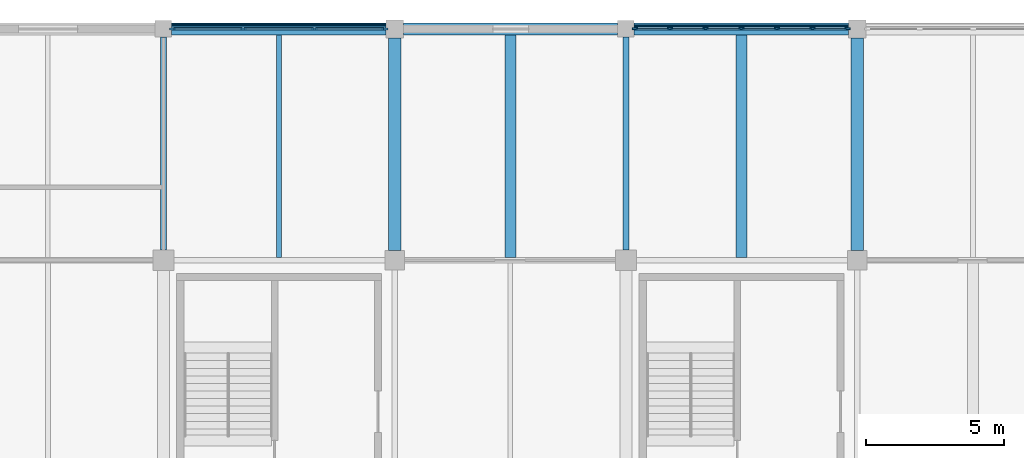
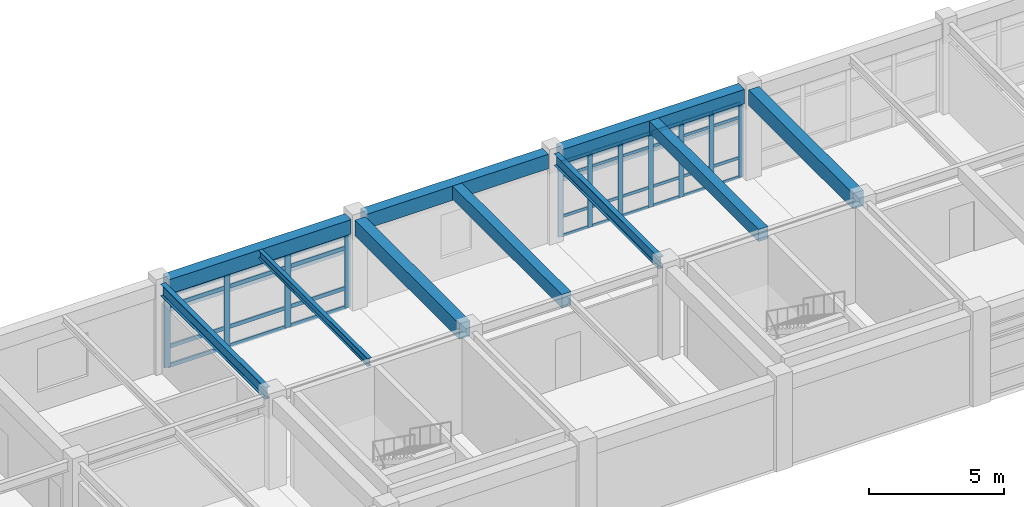
# One storey, part 17 of 40: 51 members, 10 beams, 2 elements without a shape of their own.
"""IFC4 building model written with IfcOpenShell, lengths in metres."""

from ifc_helpers import new_model, si_unit, direction, frame, origin, origin_2d, place, context, subcontext, project, spatial, rectangle, i_section, extrude, material, layer, layer_set, material_profile, profile_set, type_object, element, aggregate, save


model = new_model("IFC4")

# Units and contexts
model_context = context("Model", 3, precision=1e-05, world=origin(), true_north=direction((0.0, 1.0)))
body_context = subcontext(model_context, "Body", "Model", "MODEL_VIEW")
ifc_project = project(units=[si_unit("LENGTHUNIT", "METRE"), si_unit("AREAUNIT", "SQUARE_METRE"), si_unit("VOLUMEUNIT", "CUBIC_METRE"), si_unit("PLANEANGLEUNIT", "RADIAN"), si_unit("MASSUNIT", "GRAM", prefix="KILO")], contexts=[model_context])

# Site, building, storey
site_placement = place(None, origin())
site = spatial("IfcSite", under=ifc_project, at=site_placement, CompositionType="ELEMENT")
building_placement = place(site_placement, origin())
building = spatial("IfcBuilding", under=site, at=building_placement, Name="Porcellanite Civic Hall", CompositionType="ELEMENT")
storey_placement = place(building_placement, frame((0.0, 0.0, 19.080078125)))
storey = spatial("IfcBuildingStorey", under=building, at=storey_placement, Name="L04", CompositionType="ELEMENT", Elevation=19.080078125)

# Beams
ifc_material_1 = material(Name="Concrete N50 (50 MPa)", Category="concrete")
ifc_material_profile_1 = material_profile(ifc_material_1, rectangle(XDim=0.39990234375, YDim=0.550048828125, at=origin_2d()), Name="RC-400x550")
ifc_profile_set_1 = profile_set([ifc_material_profile_1], Name="Concrete N50 (50 MPa)")
beam_type_1 = type_object("IfcBeamType", Name="BM-RC550", PredefinedType="JOIST", material=ifc_profile_set_1)
beam_1_placement = place(storey_placement, frame((96.60009765625, 109.29443359375, 3.794921875), z_axis=(0.0, 1.0, 0.0), x_axis=(-1.0, 0.0, 0.0)))
element("IfcBeam", 1, at=beam_1_placement, inside=storey, type_object=beam_type_1, Name="Secondary joist L04 12-14", PredefinedType="JOIST", context=body_context, shape_type="SweptSolid", body=[
    extrude(rectangle(XDim=0.39990234375, YDim=0.550048828125, at=origin_2d()), origin(), (0.0, 0.0, 1.0), 8.0810546875),
])
ifc_material_2 = material(Name="Concrete N50 (50 MPa)", Category="concrete")
ifc_material_profile_2 = material_profile(ifc_material_2, rectangle(XDim=0.39990234375, YDim=0.60009765625, at=origin_2d()), Name="RC-400x600")
ifc_profile_set_2 = profile_set([ifc_material_profile_2], Name="Concrete N50 (50 MPa)")
beam_type_2 = type_object("IfcBeamType", Name="BM-RC600", PredefinedType="JOIST", material=ifc_profile_set_2)
beam_2_placement = place(storey_placement, frame((88.199951171875, 109.29443359375, 3.77001953125), z_axis=(0.0, 1.0, 0.0), x_axis=(-1.0, 0.0, 0.0)))
element("IfcBeam", 2, at=beam_2_placement, inside=storey, type_object=beam_type_2, Name="Secondary joist L04 11-14", PredefinedType="JOIST", context=body_context, shape_type="SweptSolid", body=[
    extrude(rectangle(XDim=0.39990234375, YDim=0.60009765625, at=origin_2d()), origin(), (0.0, 0.0, 1.0), 8.0810546875),
])
ifc_material_3 = material(Name="Concrete N50 (50 MPa)", Category="concrete")
ifc_material_profile_3 = material_profile(ifc_material_3, rectangle(XDim=0.449951171875, YDim=0.64990234375, at=origin_2d()), Name="RC-450x650")
ifc_profile_set_3 = profile_set([ifc_material_profile_3], Name="Concrete N50 (50 MPa)")
beam_type_3 = type_object("IfcBeamType", Name="BM-RC650", PredefinedType="SPANDREL", material=ifc_profile_set_3)
for number, where, z_axis, x_axis, name in (
    (3, (75.8994140625, 117.60009765625, 3.744873046875), (1.0, 0.0, 0.0), (0.0, 1.0, 0.0), "Beam X L04 10-15"),
    (4, (84.324462890625, 117.60009765625, 3.744873046875), (1.0, 0.0, 0.0), (0.0, 1.0, 0.0), "Beam X L04 11-15"),
    (5, (92.699462890625, 117.60009765625, 3.744873046875), (1.0, 0.0, 0.0), (0.0, 1.0, 0.0), "Beam X L04 12-15"),
):
    element("IfcBeam", number, at=place(storey_placement, frame(where, z_axis=z_axis, x_axis=x_axis)), inside=storey, type_object=beam_type_3, Name=name, PredefinedType="SPANDREL", context=body_context, shape_type="SweptSolid", body=[
        extrude(rectangle(XDim=0.449951171875, YDim=0.64990234375, at=origin_2d()), origin(), (0.0, 0.0, 1.0), 7.776123046875),
    ])
ifc_material_4 = material(Name="Concrete N50 (50 MPa)", Category="concrete")
ifc_material_profile_4 = material_profile(ifc_material_4, rectangle(XDim=0.449951171875, YDim=0.699951171875, at=origin_2d()), Name="RC-450x700")
ifc_profile_set_4 = profile_set([ifc_material_profile_4], Name="Concrete N50 (50 MPa)")
beam_type_4 = type_object("IfcBeamType", Name="BM-RC700", PredefinedType="BEAM", material=ifc_profile_set_4)
for number, where, z_axis, x_axis, name in (
    (6, (84.0, 109.549560546875, 3.719970703125), (0.0, 1.0, 0.0), (-1.0, 0.0, 0.0), "Beam Y L04 11-14"),
    (7, (100.800048828125, 109.549560546875, 3.719970703125), (0.0, 1.0, 0.0), (-1.0, 0.0, 0.0), "Beam Y L04 13-14"),
):
    element("IfcBeam", number, at=place(storey_placement, frame(where, z_axis=z_axis, x_axis=x_axis)), inside=storey, type_object=beam_type_4, Name=name, PredefinedType="BEAM", context=body_context, shape_type="SweptSolid", body=[
        extrude(rectangle(XDim=0.449951171875, YDim=0.699951171875, at=origin_2d()), origin(), (0.0, 0.0, 1.0), 7.725830078125),
    ])

# Curtain wall, members
ifc_material_5 = material(Name="Anodised aluminium and solar laminated glass", Category="aluminium")
ifc_layer_1 = layer(ifc_material_5, 0.179931640625)
ifc_layer_set_1 = layer_set([ifc_layer_1], Name="Anodised aluminium and solar laminated glass")
curtain_wall_type_1 = type_object("IfcCurtainWallType", Name="CW-SYS08", PredefinedType="NOTDEFINED", material=ifc_layer_set_1)
curtain_wall_1_placement = place(storey_placement, origin())
curtain_wall_1 = element("IfcCurtainWall", 8, at=curtain_wall_1_placement, inside=storey, type_object=curtain_wall_type_1, Name="Curtain wall CW-250", PredefinedType="NOTDEFINED")
ifc_material_6 = material(Name="Anodised aluminium 6063-T6", Category="aluminium")
ifc_material_profile_5 = material_profile(ifc_material_6, rectangle(XDim=0.080078125, YDim=0.239990234375, at=origin_2d()), Name="AL-80x240")
ifc_profile_set_5 = profile_set([ifc_material_profile_5], Name="Anodised aluminium 6063-T6")
member_type_1 = type_object("IfcMemberType", Name="CWM-01", PredefinedType="MULLION", material=ifc_profile_set_5)
member_1_placement = place(storey_placement, frame((75.94091796875, 117.60009765625, 0.0), z_axis=(0.0, 0.0, 1.0), x_axis=(0.0, 1.0, 0.0)))
member_1 = element("IfcMember", 9, at=member_1_placement, type_object=member_type_1, Name="CW-250 mullion 1", PredefinedType="MULLION", context=body_context, shape_type="SweptSolid", body=[
    extrude(rectangle(XDim=0.080078125, YDim=0.239990234375, at=origin_2d()), origin(), (0.0, 0.0, 1.0), 3.369873046875),
])
member_2_placement = place(storey_placement, frame((78.491943359375, 117.60009765625, 0.0), z_axis=(0.0, 0.0, 1.0), x_axis=(0.0, 1.0, 0.0)))
member_2 = element("IfcMember", 10, at=member_2_placement, type_object=member_type_1, Name="CW-250 mullion 2", PredefinedType="MULLION", context=body_context, shape_type="SweptSolid", body=[
    extrude(rectangle(XDim=0.080078125, YDim=0.239990234375, at=origin_2d()), origin(), (0.0, 0.0, 1.0), 3.369873046875),
])
member_3_placement = place(storey_placement, frame((81.0830078125, 117.60009765625, 0.0), z_axis=(0.0, 0.0, 1.0), x_axis=(0.0, 1.0, 0.0)))
member_3 = element("IfcMember", 11, at=member_3_placement, type_object=member_type_1, Name="CW-250 mullion 3", PredefinedType="MULLION", context=body_context, shape_type="SweptSolid", body=[
    extrude(rectangle(XDim=0.080078125, YDim=0.239990234375, at=origin_2d()), origin(), (0.0, 0.0, 1.0), 3.369873046875),
])
member_4_placement = place(storey_placement, frame((83.634033203125, 117.60009765625, 0.0), z_axis=(0.0, 0.0, 1.0), x_axis=(0.0, 1.0, 0.0)))
member_4 = element("IfcMember", 12, at=member_4_placement, type_object=member_type_1, Name="CW-250 mullion 4", PredefinedType="MULLION", context=body_context, shape_type="SweptSolid", body=[
    extrude(rectangle(XDim=0.080078125, YDim=0.239990234375, at=origin_2d()), origin(), (0.0, 0.0, 1.0), 3.369873046875),
])

ifc_material_7 = material(Name="Anodised aluminium and solar laminated glass", Category="aluminium")
ifc_layer_2 = layer(ifc_material_7, 0.179931640625)
ifc_layer_set_2 = layer_set([ifc_layer_2], Name="Anodised aluminium and solar laminated glass")
curtain_wall_type_2 = type_object("IfcCurtainWallType", Name="CW-SYS01", PredefinedType="NOTDEFINED", material=ifc_layer_set_2)
curtain_wall_2_placement = place(storey_placement, origin())
curtain_wall_2 = element("IfcCurtainWall", 13, at=curtain_wall_2_placement, inside=storey, type_object=curtain_wall_type_2, Name="Curtain wall CW-251", PredefinedType="NOTDEFINED")
ifc_material_8 = material(Name="Anodised aluminium 6063-T6", Category="aluminium")
ifc_material_profile_6 = material_profile(ifc_material_8, rectangle(XDim=0.070068359375, YDim=0.199951171875, at=origin_2d()), Name="AL-70x200")
ifc_profile_set_6 = profile_set([ifc_material_profile_6], Name="Anodised aluminium 6063-T6")
member_type_2 = type_object("IfcMemberType", Name="CWM-05", PredefinedType="MULLION", material=ifc_profile_set_6)
member_5_placement = place(storey_placement, frame((92.736083984375, 117.60009765625, 0.0), z_axis=(0.0, 0.0, 1.0), x_axis=(0.0, 1.0, 0.0)))
member_5 = element("IfcMember", 14, at=member_5_placement, type_object=member_type_2, Name="CW-251 mullion 1", PredefinedType="MULLION", context=body_context, shape_type="SweptSolid", body=[
    extrude(rectangle(XDim=0.070068359375, YDim=0.199951171875, at=origin_2d()), origin(), (0.0, 0.0, 1.0), 3.369873046875),
])
member_6_placement = place(storey_placement, frame((93.99658203125, 117.60009765625, 0.0), z_axis=(0.0, 0.0, 1.0), x_axis=(0.0, 1.0, 0.0)))
member_6 = element("IfcMember", 15, at=member_6_placement, type_object=member_type_2, Name="CW-251 mullion 2", PredefinedType="MULLION", context=body_context, shape_type="SweptSolid", body=[
    extrude(rectangle(XDim=0.070068359375, YDim=0.199951171875, at=origin_2d()), origin(), (0.0, 0.0, 1.0), 3.369873046875),
])
member_7_placement = place(storey_placement, frame((95.2919921875, 117.60009765625, 0.0), z_axis=(0.0, 0.0, 1.0), x_axis=(0.0, 1.0, 0.0)))
member_7 = element("IfcMember", 16, at=member_7_placement, type_object=member_type_2, Name="CW-251 mullion 3", PredefinedType="MULLION", context=body_context, shape_type="SweptSolid", body=[
    extrude(rectangle(XDim=0.070068359375, YDim=0.199951171875, at=origin_2d()), origin(), (0.0, 0.0, 1.0), 3.369873046875),
])
member_8_placement = place(storey_placement, frame((96.58740234375, 117.60009765625, 0.0), z_axis=(0.0, 0.0, 1.0), x_axis=(0.0, 1.0, 0.0)))
member_8 = element("IfcMember", 17, at=member_8_placement, type_object=member_type_2, Name="CW-251 mullion 4", PredefinedType="MULLION", context=body_context, shape_type="SweptSolid", body=[
    extrude(rectangle(XDim=0.070068359375, YDim=0.199951171875, at=origin_2d()), origin(), (0.0, 0.0, 1.0), 3.369873046875),
])
member_9_placement = place(storey_placement, frame((97.883056640625, 117.60009765625, 0.0), z_axis=(0.0, 0.0, 1.0), x_axis=(0.0, 1.0, 0.0)))
member_9 = element("IfcMember", 18, at=member_9_placement, type_object=member_type_2, Name="CW-251 mullion 5", PredefinedType="MULLION", context=body_context, shape_type="SweptSolid", body=[
    extrude(rectangle(XDim=0.070068359375, YDim=0.199951171875, at=origin_2d()), origin(), (0.0, 0.0, 1.0), 3.369873046875),
])
member_10_placement = place(storey_placement, frame((99.178466796875, 117.60009765625, 0.0), z_axis=(0.0, 0.0, 1.0), x_axis=(0.0, 1.0, 0.0)))
member_10 = element("IfcMember", 19, at=member_10_placement, type_object=member_type_2, Name="CW-251 mullion 6", PredefinedType="MULLION", context=body_context, shape_type="SweptSolid", body=[
    extrude(rectangle(XDim=0.070068359375, YDim=0.199951171875, at=origin_2d()), origin(), (0.0, 0.0, 1.0), 3.369873046875),
])
member_11_placement = place(storey_placement, frame((100.43896484375, 117.60009765625, 0.0), z_axis=(0.0, 0.0, 1.0), x_axis=(0.0, 1.0, 0.0)))
member_11 = element("IfcMember", 20, at=member_11_placement, type_object=member_type_2, Name="CW-251 mullion 7", PredefinedType="MULLION", context=body_context, shape_type="SweptSolid", body=[
    extrude(rectangle(XDim=0.070068359375, YDim=0.199951171875, at=origin_2d()), origin(), (0.0, 0.0, 1.0), 3.369873046875),
])

# Member
ifc_material_9 = material(Name="Anodised aluminium 6063-T6", Category="aluminium")
ifc_material_profile_7 = material_profile(ifc_material_9, rectangle(XDim=0.070068359375, YDim=0.175048828125, at=origin_2d()), Name="AL-70x175")
ifc_profile_set_7 = profile_set([ifc_material_profile_7], Name="Anodised aluminium 6063-T6")
member_type_3 = type_object("IfcMemberType", Name="CWT-01", PredefinedType="USERDEFINED", material=ifc_profile_set_7)
member_12_placement = place(storey_placement, frame((75.98095703125, 117.60009765625, 0.034912109375), z_axis=(1.0, 0.0, 0.0), x_axis=(0.0, 1.0, 0.0)))
member_12 = element("IfcMember", 21, at=member_12_placement, type_object=member_type_3, Name="CW-250 transom 1.1", ObjectType="TRANSOM", PredefinedType="USERDEFINED", context=body_context, shape_type="SweptSolid", body=[
    extrude(rectangle(XDim=0.070068359375, YDim=0.175048828125, at=origin_2d()), origin(), (0.0, 0.0, 1.0), 2.470947265625),
])

member_13_placement = place(storey_placement, frame((75.98095703125, 117.60009765625, 0.89990234375), z_axis=(1.0, 0.0, 0.0), x_axis=(0.0, 1.0, 0.0)))
member_13 = element("IfcMember", 22, at=member_13_placement, type_object=member_type_3, Name="CW-250 transom 1.2", ObjectType="TRANSOM", PredefinedType="USERDEFINED", context=body_context, shape_type="SweptSolid", body=[
    extrude(rectangle(XDim=0.070068359375, YDim=0.175048828125, at=origin_2d()), origin(), (0.0, 0.0, 1.0), 2.470947265625),
])

member_14_placement = place(storey_placement, frame((75.98095703125, 117.60009765625, 2.719970703125), z_axis=(1.0, 0.0, 0.0), x_axis=(0.0, 1.0, 0.0)))
member_14 = element("IfcMember", 23, at=member_14_placement, type_object=member_type_3, Name="CW-250 transom 1.3", ObjectType="TRANSOM", PredefinedType="USERDEFINED", context=body_context, shape_type="SweptSolid", body=[
    extrude(rectangle(XDim=0.070068359375, YDim=0.175048828125, at=origin_2d()), origin(), (0.0, 0.0, 1.0), 2.470947265625),
])

member_15_placement = place(storey_placement, frame((75.98095703125, 117.60009765625, 3.3349609375), z_axis=(1.0, 0.0, 0.0), x_axis=(0.0, 1.0, 0.0)))
member_15 = element("IfcMember", 24, at=member_15_placement, type_object=member_type_3, Name="CW-250 transom 1.4", ObjectType="TRANSOM", PredefinedType="USERDEFINED", context=body_context, shape_type="SweptSolid", body=[
    extrude(rectangle(XDim=0.070068359375, YDim=0.175048828125, at=origin_2d()), origin(), (0.0, 0.0, 1.0), 2.470947265625),
])

member_16_placement = place(storey_placement, frame((78.531982421875, 117.60009765625, 0.034912109375), z_axis=(1.0, 0.0, 0.0), x_axis=(0.0, 1.0, 0.0)))
member_16 = element("IfcMember", 25, at=member_16_placement, type_object=member_type_3, Name="CW-250 transom 2.1", ObjectType="TRANSOM", PredefinedType="USERDEFINED", context=body_context, shape_type="SweptSolid", body=[
    extrude(rectangle(XDim=0.070068359375, YDim=0.175048828125, at=origin_2d()), origin(), (0.0, 0.0, 1.0), 2.510986328125),
])

member_17_placement = place(storey_placement, frame((78.531982421875, 117.60009765625, 0.89990234375), z_axis=(1.0, 0.0, 0.0), x_axis=(0.0, 1.0, 0.0)))
member_17 = element("IfcMember", 26, at=member_17_placement, type_object=member_type_3, Name="CW-250 transom 2.2", ObjectType="TRANSOM", PredefinedType="USERDEFINED", context=body_context, shape_type="SweptSolid", body=[
    extrude(rectangle(XDim=0.070068359375, YDim=0.175048828125, at=origin_2d()), origin(), (0.0, 0.0, 1.0), 2.510986328125),
])

member_18_placement = place(storey_placement, frame((78.531982421875, 117.60009765625, 2.719970703125), z_axis=(1.0, 0.0, 0.0), x_axis=(0.0, 1.0, 0.0)))
member_18 = element("IfcMember", 27, at=member_18_placement, type_object=member_type_3, Name="CW-250 transom 2.3", ObjectType="TRANSOM", PredefinedType="USERDEFINED", context=body_context, shape_type="SweptSolid", body=[
    extrude(rectangle(XDim=0.070068359375, YDim=0.175048828125, at=origin_2d()), origin(), (0.0, 0.0, 1.0), 2.510986328125),
])

member_19_placement = place(storey_placement, frame((78.531982421875, 117.60009765625, 3.3349609375), z_axis=(1.0, 0.0, 0.0), x_axis=(0.0, 1.0, 0.0)))
member_19 = element("IfcMember", 28, at=member_19_placement, type_object=member_type_3, Name="CW-250 transom 2.4", ObjectType="TRANSOM", PredefinedType="USERDEFINED", context=body_context, shape_type="SweptSolid", body=[
    extrude(rectangle(XDim=0.070068359375, YDim=0.175048828125, at=origin_2d()), origin(), (0.0, 0.0, 1.0), 2.510986328125),
])

member_20_placement = place(storey_placement, frame((81.123046875, 117.60009765625, 0.034912109375), z_axis=(1.0, 0.0, 0.0), x_axis=(0.0, 1.0, 0.0)))
member_20 = element("IfcMember", 29, at=member_20_placement, type_object=member_type_3, Name="CW-250 transom 3.1", ObjectType="TRANSOM", PredefinedType="USERDEFINED", context=body_context, shape_type="SweptSolid", body=[
    extrude(rectangle(XDim=0.070068359375, YDim=0.175048828125, at=origin_2d()), origin(), (0.0, 0.0, 1.0), 2.470947265625),
])

member_21_placement = place(storey_placement, frame((81.123046875, 117.60009765625, 0.89990234375), z_axis=(1.0, 0.0, 0.0), x_axis=(0.0, 1.0, 0.0)))
member_21 = element("IfcMember", 30, at=member_21_placement, type_object=member_type_3, Name="CW-250 transom 3.2", ObjectType="TRANSOM", PredefinedType="USERDEFINED", context=body_context, shape_type="SweptSolid", body=[
    extrude(rectangle(XDim=0.070068359375, YDim=0.175048828125, at=origin_2d()), origin(), (0.0, 0.0, 1.0), 2.470947265625),
])

member_22_placement = place(storey_placement, frame((81.123046875, 117.60009765625, 2.719970703125), z_axis=(1.0, 0.0, 0.0), x_axis=(0.0, 1.0, 0.0)))
member_22 = element("IfcMember", 31, at=member_22_placement, type_object=member_type_3, Name="CW-250 transom 3.3", ObjectType="TRANSOM", PredefinedType="USERDEFINED", context=body_context, shape_type="SweptSolid", body=[
    extrude(rectangle(XDim=0.070068359375, YDim=0.175048828125, at=origin_2d()), origin(), (0.0, 0.0, 1.0), 2.470947265625),
])

member_23_placement = place(storey_placement, frame((81.123046875, 117.60009765625, 3.3349609375), z_axis=(1.0, 0.0, 0.0), x_axis=(0.0, 1.0, 0.0)))
member_23 = element("IfcMember", 32, at=member_23_placement, type_object=member_type_3, Name="CW-250 transom 3.4", ObjectType="TRANSOM", PredefinedType="USERDEFINED", context=body_context, shape_type="SweptSolid", body=[
    extrude(rectangle(XDim=0.070068359375, YDim=0.175048828125, at=origin_2d()), origin(), (0.0, 0.0, 1.0), 2.470947265625),
])

aggregate(curtain_wall_1, [member_1, member_2, member_3, member_4, member_12, member_13, member_14, member_15, member_16, member_17, member_18, member_19, member_20, member_21, member_22, member_23])

ifc_material_10 = material(Name="Anodised aluminium 6063-T6", Category="aluminium")
ifc_material_profile_8 = material_profile(ifc_material_10, rectangle(XDim=0.06005859375, YDim=0.1298828125, at=origin_2d()), Name="AL-60x130")
ifc_profile_set_8 = profile_set([ifc_material_profile_8], Name="Anodised aluminium 6063-T6")
member_type_4 = type_object("IfcMemberType", Name="CWT-03", PredefinedType="USERDEFINED", material=ifc_profile_set_8)
member_24_placement = place(storey_placement, frame((92.77099609375, 117.60009765625, 0.030029296875), z_axis=(1.0, 0.0, 0.0), x_axis=(0.0, 1.0, 0.0)))
member_24 = element("IfcMember", 33, at=member_24_placement, type_object=member_type_4, Name="CW-251 transom 1.1", ObjectType="TRANSOM", PredefinedType="USERDEFINED", context=body_context, shape_type="SweptSolid", body=[
    extrude(rectangle(XDim=0.06005859375, YDim=0.1298828125, at=origin_2d()), origin(), (0.0, 0.0, 1.0), 1.1904296875),
])

member_25_placement = place(storey_placement, frame((92.77099609375, 117.60009765625, 0.89990234375), z_axis=(1.0, 0.0, 0.0), x_axis=(0.0, 1.0, 0.0)))
member_25 = element("IfcMember", 34, at=member_25_placement, type_object=member_type_4, Name="CW-251 transom 1.2", ObjectType="TRANSOM", PredefinedType="USERDEFINED", context=body_context, shape_type="SweptSolid", body=[
    extrude(rectangle(XDim=0.06005859375, YDim=0.1298828125, at=origin_2d()), origin(), (0.0, 0.0, 1.0), 1.1904296875),
])

member_26_placement = place(storey_placement, frame((92.77099609375, 117.60009765625, 2.719970703125), z_axis=(1.0, 0.0, 0.0), x_axis=(0.0, 1.0, 0.0)))
member_26 = element("IfcMember", 35, at=member_26_placement, type_object=member_type_4, Name="CW-251 transom 1.3", ObjectType="TRANSOM", PredefinedType="USERDEFINED", context=body_context, shape_type="SweptSolid", body=[
    extrude(rectangle(XDim=0.06005859375, YDim=0.1298828125, at=origin_2d()), origin(), (0.0, 0.0, 1.0), 1.1904296875),
])

member_27_placement = place(storey_placement, frame((92.77099609375, 117.60009765625, 3.33984375), z_axis=(1.0, 0.0, 0.0), x_axis=(0.0, 1.0, 0.0)))
member_27 = element("IfcMember", 36, at=member_27_placement, type_object=member_type_4, Name="CW-251 transom 1.4", ObjectType="TRANSOM", PredefinedType="USERDEFINED", context=body_context, shape_type="SweptSolid", body=[
    extrude(rectangle(XDim=0.06005859375, YDim=0.1298828125, at=origin_2d()), origin(), (0.0, 0.0, 1.0), 1.1904296875),
])

member_28_placement = place(storey_placement, frame((94.031494140625, 117.60009765625, 0.030029296875), z_axis=(1.0, 0.0, 0.0), x_axis=(0.0, 1.0, 0.0)))
member_28 = element("IfcMember", 37, at=member_28_placement, type_object=member_type_4, Name="CW-251 transom 2.1", ObjectType="TRANSOM", PredefinedType="USERDEFINED", context=body_context, shape_type="SweptSolid", body=[
    extrude(rectangle(XDim=0.06005859375, YDim=0.1298828125, at=origin_2d()), origin(), (0.0, 0.0, 1.0), 1.2255859375),
])

member_29_placement = place(storey_placement, frame((94.031494140625, 117.60009765625, 0.89990234375), z_axis=(1.0, 0.0, 0.0), x_axis=(0.0, 1.0, 0.0)))
member_29 = element("IfcMember", 38, at=member_29_placement, type_object=member_type_4, Name="CW-251 transom 2.2", ObjectType="TRANSOM", PredefinedType="USERDEFINED", context=body_context, shape_type="SweptSolid", body=[
    extrude(rectangle(XDim=0.06005859375, YDim=0.1298828125, at=origin_2d()), origin(), (0.0, 0.0, 1.0), 1.2255859375),
])

member_30_placement = place(storey_placement, frame((94.031494140625, 117.60009765625, 2.719970703125), z_axis=(1.0, 0.0, 0.0), x_axis=(0.0, 1.0, 0.0)))
member_30 = element("IfcMember", 39, at=member_30_placement, type_object=member_type_4, Name="CW-251 transom 2.3", ObjectType="TRANSOM", PredefinedType="USERDEFINED", context=body_context, shape_type="SweptSolid", body=[
    extrude(rectangle(XDim=0.06005859375, YDim=0.1298828125, at=origin_2d()), origin(), (0.0, 0.0, 1.0), 1.2255859375),
])

member_31_placement = place(storey_placement, frame((94.031494140625, 117.60009765625, 3.33984375), z_axis=(1.0, 0.0, 0.0), x_axis=(0.0, 1.0, 0.0)))
member_31 = element("IfcMember", 40, at=member_31_placement, type_object=member_type_4, Name="CW-251 transom 2.4", ObjectType="TRANSOM", PredefinedType="USERDEFINED", context=body_context, shape_type="SweptSolid", body=[
    extrude(rectangle(XDim=0.06005859375, YDim=0.1298828125, at=origin_2d()), origin(), (0.0, 0.0, 1.0), 1.2255859375),
])

member_32_placement = place(storey_placement, frame((95.326904296875, 117.60009765625, 0.030029296875), z_axis=(1.0, 0.0, 0.0), x_axis=(0.0, 1.0, 0.0)))
member_32 = element("IfcMember", 41, at=member_32_placement, type_object=member_type_4, Name="CW-251 transom 3.1", ObjectType="TRANSOM", PredefinedType="USERDEFINED", context=body_context, shape_type="SweptSolid", body=[
    extrude(rectangle(XDim=0.06005859375, YDim=0.1298828125, at=origin_2d()), origin(), (0.0, 0.0, 1.0), 1.2255859375),
])

member_33_placement = place(storey_placement, frame((95.326904296875, 117.60009765625, 0.89990234375), z_axis=(1.0, 0.0, 0.0), x_axis=(0.0, 1.0, 0.0)))
member_33 = element("IfcMember", 42, at=member_33_placement, type_object=member_type_4, Name="CW-251 transom 3.2", ObjectType="TRANSOM", PredefinedType="USERDEFINED", context=body_context, shape_type="SweptSolid", body=[
    extrude(rectangle(XDim=0.06005859375, YDim=0.1298828125, at=origin_2d()), origin(), (0.0, 0.0, 1.0), 1.2255859375),
])

member_34_placement = place(storey_placement, frame((95.326904296875, 117.60009765625, 2.719970703125), z_axis=(1.0, 0.0, 0.0), x_axis=(0.0, 1.0, 0.0)))
member_34 = element("IfcMember", 43, at=member_34_placement, type_object=member_type_4, Name="CW-251 transom 3.3", ObjectType="TRANSOM", PredefinedType="USERDEFINED", context=body_context, shape_type="SweptSolid", body=[
    extrude(rectangle(XDim=0.06005859375, YDim=0.1298828125, at=origin_2d()), origin(), (0.0, 0.0, 1.0), 1.2255859375),
])

member_35_placement = place(storey_placement, frame((95.326904296875, 117.60009765625, 3.33984375), z_axis=(1.0, 0.0, 0.0), x_axis=(0.0, 1.0, 0.0)))
member_35 = element("IfcMember", 44, at=member_35_placement, type_object=member_type_4, Name="CW-251 transom 3.4", ObjectType="TRANSOM", PredefinedType="USERDEFINED", context=body_context, shape_type="SweptSolid", body=[
    extrude(rectangle(XDim=0.06005859375, YDim=0.1298828125, at=origin_2d()), origin(), (0.0, 0.0, 1.0), 1.2255859375),
])

member_36_placement = place(storey_placement, frame((96.62255859375, 117.60009765625, 0.030029296875), z_axis=(1.0, 0.0, 0.0), x_axis=(0.0, 1.0, 0.0)))
member_36 = element("IfcMember", 45, at=member_36_placement, type_object=member_type_4, Name="CW-251 transom 4.1", ObjectType="TRANSOM", PredefinedType="USERDEFINED", context=body_context, shape_type="SweptSolid", body=[
    extrude(rectangle(XDim=0.06005859375, YDim=0.1298828125, at=origin_2d()), origin(), (0.0, 0.0, 1.0), 1.225341796875),
])

member_37_placement = place(storey_placement, frame((96.62255859375, 117.60009765625, 0.89990234375), z_axis=(1.0, 0.0, 0.0), x_axis=(0.0, 1.0, 0.0)))
member_37 = element("IfcMember", 46, at=member_37_placement, type_object=member_type_4, Name="CW-251 transom 4.2", ObjectType="TRANSOM", PredefinedType="USERDEFINED", context=body_context, shape_type="SweptSolid", body=[
    extrude(rectangle(XDim=0.06005859375, YDim=0.1298828125, at=origin_2d()), origin(), (0.0, 0.0, 1.0), 1.225341796875),
])

member_38_placement = place(storey_placement, frame((96.62255859375, 117.60009765625, 2.719970703125), z_axis=(1.0, 0.0, 0.0), x_axis=(0.0, 1.0, 0.0)))
member_38 = element("IfcMember", 47, at=member_38_placement, type_object=member_type_4, Name="CW-251 transom 4.3", ObjectType="TRANSOM", PredefinedType="USERDEFINED", context=body_context, shape_type="SweptSolid", body=[
    extrude(rectangle(XDim=0.06005859375, YDim=0.1298828125, at=origin_2d()), origin(), (0.0, 0.0, 1.0), 1.225341796875),
])

member_39_placement = place(storey_placement, frame((96.62255859375, 117.60009765625, 3.33984375), z_axis=(1.0, 0.0, 0.0), x_axis=(0.0, 1.0, 0.0)))
member_39 = element("IfcMember", 48, at=member_39_placement, type_object=member_type_4, Name="CW-251 transom 4.4", ObjectType="TRANSOM", PredefinedType="USERDEFINED", context=body_context, shape_type="SweptSolid", body=[
    extrude(rectangle(XDim=0.06005859375, YDim=0.1298828125, at=origin_2d()), origin(), (0.0, 0.0, 1.0), 1.225341796875),
])

member_40_placement = place(storey_placement, frame((97.91796875, 117.60009765625, 0.030029296875), z_axis=(1.0, 0.0, 0.0), x_axis=(0.0, 1.0, 0.0)))
member_40 = element("IfcMember", 49, at=member_40_placement, type_object=member_type_4, Name="CW-251 transom 5.1", ObjectType="TRANSOM", PredefinedType="USERDEFINED", context=body_context, shape_type="SweptSolid", body=[
    extrude(rectangle(XDim=0.06005859375, YDim=0.1298828125, at=origin_2d()), origin(), (0.0, 0.0, 1.0), 1.2255859375),
])

member_41_placement = place(storey_placement, frame((97.91796875, 117.60009765625, 0.89990234375), z_axis=(1.0, 0.0, 0.0), x_axis=(0.0, 1.0, 0.0)))
member_41 = element("IfcMember", 50, at=member_41_placement, type_object=member_type_4, Name="CW-251 transom 5.2", ObjectType="TRANSOM", PredefinedType="USERDEFINED", context=body_context, shape_type="SweptSolid", body=[
    extrude(rectangle(XDim=0.06005859375, YDim=0.1298828125, at=origin_2d()), origin(), (0.0, 0.0, 1.0), 1.2255859375),
])

member_42_placement = place(storey_placement, frame((97.91796875, 117.60009765625, 2.719970703125), z_axis=(1.0, 0.0, 0.0), x_axis=(0.0, 1.0, 0.0)))
member_42 = element("IfcMember", 51, at=member_42_placement, type_object=member_type_4, Name="CW-251 transom 5.3", ObjectType="TRANSOM", PredefinedType="USERDEFINED", context=body_context, shape_type="SweptSolid", body=[
    extrude(rectangle(XDim=0.06005859375, YDim=0.1298828125, at=origin_2d()), origin(), (0.0, 0.0, 1.0), 1.2255859375),
])

member_43_placement = place(storey_placement, frame((97.91796875, 117.60009765625, 3.33984375), z_axis=(1.0, 0.0, 0.0), x_axis=(0.0, 1.0, 0.0)))
member_43 = element("IfcMember", 52, at=member_43_placement, type_object=member_type_4, Name="CW-251 transom 5.4", ObjectType="TRANSOM", PredefinedType="USERDEFINED", context=body_context, shape_type="SweptSolid", body=[
    extrude(rectangle(XDim=0.06005859375, YDim=0.1298828125, at=origin_2d()), origin(), (0.0, 0.0, 1.0), 1.2255859375),
])

member_44_placement = place(storey_placement, frame((99.21337890625, 117.60009765625, 0.030029296875), z_axis=(1.0, 0.0, 0.0), x_axis=(0.0, 1.0, 0.0)))
member_44 = element("IfcMember", 53, at=member_44_placement, type_object=member_type_4, Name="CW-251 transom 6.1", ObjectType="TRANSOM", PredefinedType="USERDEFINED", context=body_context, shape_type="SweptSolid", body=[
    extrude(rectangle(XDim=0.06005859375, YDim=0.1298828125, at=origin_2d()), origin(), (0.0, 0.0, 1.0), 1.190673828125),
])

member_45_placement = place(storey_placement, frame((99.21337890625, 117.60009765625, 0.89990234375), z_axis=(1.0, 0.0, 0.0), x_axis=(0.0, 1.0, 0.0)))
member_45 = element("IfcMember", 54, at=member_45_placement, type_object=member_type_4, Name="CW-251 transom 6.2", ObjectType="TRANSOM", PredefinedType="USERDEFINED", context=body_context, shape_type="SweptSolid", body=[
    extrude(rectangle(XDim=0.06005859375, YDim=0.1298828125, at=origin_2d()), origin(), (0.0, 0.0, 1.0), 1.190673828125),
])

member_46_placement = place(storey_placement, frame((99.21337890625, 117.60009765625, 2.719970703125), z_axis=(1.0, 0.0, 0.0), x_axis=(0.0, 1.0, 0.0)))
member_46 = element("IfcMember", 55, at=member_46_placement, type_object=member_type_4, Name="CW-251 transom 6.3", ObjectType="TRANSOM", PredefinedType="USERDEFINED", context=body_context, shape_type="SweptSolid", body=[
    extrude(rectangle(XDim=0.06005859375, YDim=0.1298828125, at=origin_2d()), origin(), (0.0, 0.0, 1.0), 1.190673828125),
])

member_47_placement = place(storey_placement, frame((99.21337890625, 117.60009765625, 3.33984375), z_axis=(1.0, 0.0, 0.0), x_axis=(0.0, 1.0, 0.0)))
member_47 = element("IfcMember", 56, at=member_47_placement, type_object=member_type_4, Name="CW-251 transom 6.4", ObjectType="TRANSOM", PredefinedType="USERDEFINED", context=body_context, shape_type="SweptSolid", body=[
    extrude(rectangle(XDim=0.06005859375, YDim=0.1298828125, at=origin_2d()), origin(), (0.0, 0.0, 1.0), 1.190673828125),
])

aggregate(curtain_wall_2, [member_5, member_6, member_7, member_8, member_9, member_10, member_11, member_24, member_25, member_26, member_27, member_28, member_29, member_30, member_31, member_32, member_33, member_34, member_35, member_36, member_37, member_38, member_39, member_40, member_41, member_42, member_43, member_44, member_45, member_46, member_47])

# Beam
ifc_material_11 = material(Name="Steel Grade 350", Category="steel")
ifc_material_profile_9 = material_profile(ifc_material_11, i_section(OverallWidth=0.1708984375, OverallDepth=0.35595703125, WebThickness=0.00732421875, FlangeThickness=0.011474609375, FilletRadius=0.011474609375, at=origin_2d()), Name="360UB50.7")
ifc_profile_set_9 = profile_set([ifc_material_profile_9], Name="Steel Grade 350")
beam_type_5 = type_object("IfcBeamType", Name="JST-360UB51", PredefinedType="JOIST", material=ifc_profile_set_9)
beam_3_placement = place(storey_placement, frame((79.800048828125, 109.29443359375, 3.891845703125), z_axis=(0.0, 1.0, 0.0), x_axis=(-1.0, 0.0, 0.0)))
element("IfcBeam", 57, at=beam_3_placement, inside=storey, type_object=beam_type_5, Name="Secondary joist L04 10-14", PredefinedType="JOIST", context=body_context, shape_type="SweptSolid", body=[
    extrude(i_section(OverallWidth=0.1708984375, OverallDepth=0.35595703125, WebThickness=0.00732421875, FlangeThickness=0.011474609375, FilletRadius=0.011474609375, at=origin_2d()), origin(), (0.0, 0.0, 1.0), 8.0810546875),
])

# Members
ifc_material_12 = material(Name="Fluoropolymer bauxite-red aluminium 6063-T6", Category="aluminium")
ifc_material_profile_10 = material_profile(ifc_material_12, rectangle(XDim=0.044921875, YDim=0.159912109375, at=origin_2d()), Name="AL-45x160")
ifc_profile_set_10 = profile_set([ifc_material_profile_10], Name="Fluoropolymer bauxite-red aluminium 6063-T6")
member_type_5 = type_object("IfcMemberType", Name="LV-BLD11", PredefinedType="USERDEFINED", material=ifc_profile_set_10)
for number, where, z_axis, x_axis, name in (
    (58, (75.8994140625, 117.744384765625, 3.06982421875), (1.0, 0.0, 0.0), (0.0, 1.0, 0.0), "Cyclone sunshade louvre L04 N 9-13 1"),
    (59, (75.8994140625, 117.744384765625, 2.419921875), (1.0, 0.0, 0.0), (0.0, 1.0, 0.0), "Cyclone sunshade louvre L04 N 9-13 2"),
):
    element("IfcMember", number, at=place(storey_placement, frame(where, z_axis=z_axis, x_axis=x_axis)), inside=storey, type_object=member_type_5, Name=name, ObjectType="LOUVRE BLADE", PredefinedType="USERDEFINED", context=body_context, shape_type="SweptSolid", body=[
        extrude(rectangle(XDim=0.044921875, YDim=0.159912109375, at=origin_2d()), origin(), (0.0, 0.0, 1.0), 7.776123046875),
    ])
ifc_material_13 = material(Name="Fluoropolymer bauxite-red aluminium 6063-T6", Category="aluminium")
ifc_material_profile_11 = material_profile(ifc_material_13, rectangle(XDim=0.0400390625, YDim=0.139892578125, at=origin_2d()), Name="AL-40x140")
ifc_profile_set_11 = profile_set([ifc_material_profile_11], Name="Fluoropolymer bauxite-red aluminium 6063-T6")
member_type_6 = type_object("IfcMemberType", Name="LV-BLD12", PredefinedType="USERDEFINED", material=ifc_profile_set_11)
for number, where, z_axis, x_axis, name in (
    (60, (92.699462890625, 117.721923828125, 3.06982421875), (1.0, 0.0, 0.0), (0.0, 1.0, 0.0), "Cyclone sunshade louvre L04 N 11-13 1"),
    (61, (92.699462890625, 117.721923828125, 2.419921875), (1.0, 0.0, 0.0), (0.0, 1.0, 0.0), "Cyclone sunshade louvre L04 N 11-13 2"),
):
    element("IfcMember", number, at=place(storey_placement, frame(where, z_axis=z_axis, x_axis=x_axis)), inside=storey, type_object=member_type_6, Name=name, ObjectType="LOUVRE BLADE", PredefinedType="USERDEFINED", context=body_context, shape_type="SweptSolid", body=[
        extrude(rectangle(XDim=0.0400390625, YDim=0.139892578125, at=origin_2d()), origin(), (0.0, 0.0, 1.0), 7.776123046875),
    ])

# Beams
ifc_material_14 = material(Name="Steel Grade 350", Category="steel")
ifc_material_profile_12 = material_profile(ifc_material_14, i_section(OverallWidth=0.208984375, OverallDepth=0.528076171875, WebThickness=0.009521484375, FlangeThickness=0.01318359375, FilletRadius=0.013916015625, at=origin_2d()), Name="530UB82.0")
ifc_profile_set_12 = profile_set([ifc_material_profile_12], Name="Steel Grade 350")
beam_type_6 = type_object("IfcBeamType", Name="RAF-530UB82", PredefinedType="BEAM", material=ifc_profile_set_12)
for number, where, z_axis, x_axis, name in (
    (62, (75.60009765625, 109.574462890625, 3.805908203125), (0.0, 1.0, 0.0), (-1.0, 0.0, 0.0), "Beam Y L04 10-14"),
    (63, (92.39990234375, 109.574462890625, 3.805908203125), (0.0, 1.0, 0.0), (-1.0, 0.0, 0.0), "Beam Y L04 12-14"),
):
    element("IfcBeam", number, at=place(storey_placement, frame(where, z_axis=z_axis, x_axis=x_axis)), inside=storey, type_object=beam_type_6, Name=name, PredefinedType="BEAM", context=body_context, shape_type="SweptSolid", body=[
        extrude(i_section(OverallWidth=0.208984375, OverallDepth=0.528076171875, WebThickness=0.009521484375, FlangeThickness=0.01318359375, FilletRadius=0.013916015625, at=origin_2d()), origin(), (0.0, 0.0, 1.0), 7.72607421875),
    ])

save(model, "model.ifc")
